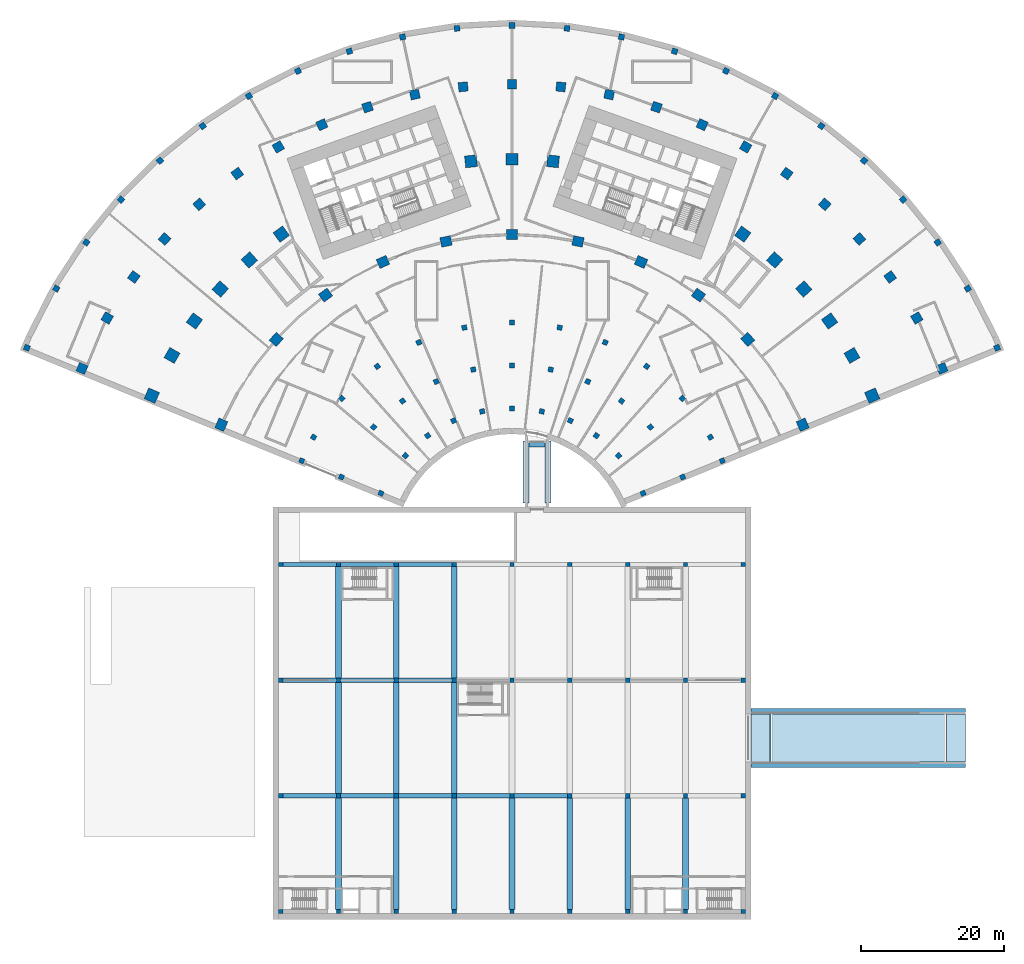
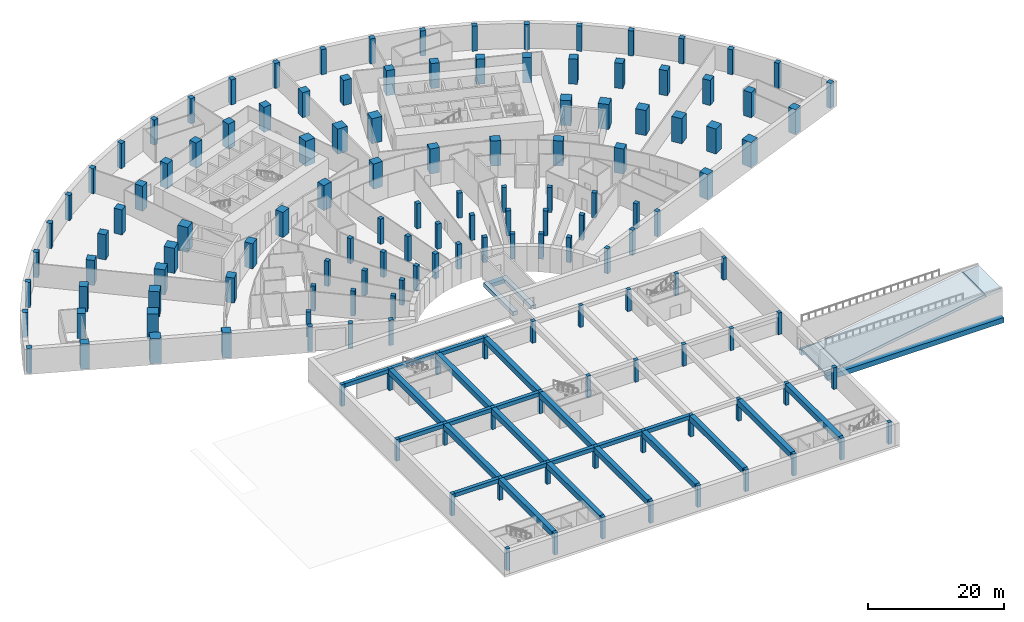
# One storey, part 1 of 23: 143 columns, 24 beams, 8 footings.
"""IFC4 building model written with IfcOpenShell, lengths in metres."""

from ifc_helpers import new_model, si_unit, direction, frame, origin, origin_2d, place, context, subcontext, project, spatial, polyline, rectangle, outline, extrude, material, layer, layer_set, material_profile, profile_set, type_object, element, save


model = new_model("IFC4")

# Units and contexts
model_context = context("Model", 3, precision=1e-05, world=origin(), true_north=direction((0.0, 1.0)))
body_context = subcontext(model_context, "Body", "Model", "MODEL_VIEW")
ifc_project = project(units=[si_unit("LENGTHUNIT", "METRE"), si_unit("AREAUNIT", "SQUARE_METRE"), si_unit("VOLUMEUNIT", "CUBIC_METRE"), si_unit("PLANEANGLEUNIT", "RADIAN"), si_unit("MASSUNIT", "GRAM", prefix="KILO")], contexts=[model_context])

# Site, building, storey
site_placement = place(None, origin())
site = spatial("IfcSite", under=ifc_project, at=site_placement, CompositionType="ELEMENT")
building_placement = place(site_placement, origin())
building = spatial("IfcBuilding", under=site, at=building_placement, Name="Stone Belt Terrace Tower", CompositionType="ELEMENT")
storey_placement = place(building_placement, frame((0.0, 0.0, -4.5)))
storey = spatial("IfcBuildingStorey", under=building, at=storey_placement, Name="B1", CompositionType="ELEMENT", Elevation=-4.5)

# Footings
ifc_material_1 = material(Name="Concrete B30", Category="concrete")
ifc_layer = layer(ifc_material_1, 0.89990234375)
ifc_layer_set = layer_set([ifc_layer], Name="Strip footing 1800")
footing_type = type_object("IfcFootingType", Name="Strip footing 1800", PredefinedType="STRIP_FOOTING", material=ifc_layer_set)
footing_1_placement = place(storey_placement, frame((0.0, 0.0, -1.5)))
element("IfcFooting", 1, at=footing_1_placement, inside=storey, type_object=footing_type, Name="Entrance ramp trench wall footing", PredefinedType="STRIP_FOOTING", context=body_context, shape_type="SweptSolid", body=[
    extrude(outline(polyline([(33.5, -30.25), (63.5, -30.25), (63.5, -29.449951171875), (33.5, -29.449951171875), (33.5, -30.25)])), origin(), (0.0, 0.0, 1.0), 0.89990234375),
])
footing_2_placement = place(storey_placement, frame((0.0, 0.0, -1.5)))
element("IfcFooting", 2, at=footing_2_placement, inside=storey, type_object=footing_type, Name="Entrance ramp trench wall footing", PredefinedType="STRIP_FOOTING", context=body_context, shape_type="SweptSolid", body=[
    extrude(outline(polyline([(33.5, -22.75), (63.5, -22.75), (63.5, -21.949951171875), (33.5, -21.949951171875), (33.5, -22.75)])), origin(), (0.0, 0.0, 1.0), 0.89990234375),
])
footing_3_placement = place(storey_placement, frame((63.5, -29.449951171875, 4.199951171875), z_axis=(-0.083037852661, 0.0, 0.996546393815), x_axis=(-0.996546393815, 0.0, -0.083037852661)))
element("IfcFooting", 3, at=footing_3_placement, inside=storey, type_object=footing_type, Name="Entrance ramp bed", PredefinedType="STRIP_FOOTING", context=body_context, shape_type="SweptSolid", body=[
    extrude(outline(polyline([(0.0, 0.0), (2.6490413236249766, 0.0), (2.6490413236249766, -6.699951171875), (0.0, -6.699951171875), (0.0, 0.0)])), origin(), (0.0, 0.0, -1.0), 0.5),
])
footing_4_placement = place(storey_placement, frame((60.800048828125, -29.449951171875, 4.0), z_axis=(-0.164402162225, 0.0, 0.986393394674), x_axis=(-0.986393394674, 0.0, -0.164402162225)))
element("IfcFooting", 4, at=footing_4_placement, inside=storey, type_object=footing_type, Name="Entrance ramp bed", PredefinedType="STRIP_FOOTING", context=body_context, shape_type="SweptSolid", body=[
    extrude(outline(polyline([(0.0, 0.0), (24.939438756472118, 0.0), (24.939438756472118, -6.699951171875), (0.0, -6.699951171875), (0.0, 0.0)])), origin(), (0.0, 0.0, -1.0), 0.5),
])
footing_5_placement = place(storey_placement, frame((36.139892578125, -29.449951171875, -0.080078125), z_axis=(-0.083037852661, 0.0, 0.996546393815), x_axis=(-0.996546393815, 0.0, -0.083037852661)))
element("IfcFooting", 5, at=footing_5_placement, inside=storey, type_object=footing_type, Name="Entrance ramp bed", PredefinedType="STRIP_FOOTING", context=body_context, shape_type="SweptSolid", body=[
    extrude(outline(polyline([(0.0, 0.0), (2.6490413236249766, 0.0), (2.6490413236249766, -6.699951171875), (0.0, -6.699951171875), (0.0, 0.0)])), origin(), (0.0, 0.0, -1.0), 0.5),
])
footing_6_placement = place(storey_placement, frame((0.0, 0.0, -1.10009765625)))
element("IfcFooting", 6, at=footing_6_placement, inside=storey, type_object=footing_type, Name="Link corridor footing", PredefinedType="STRIP_FOOTING", context=body_context, shape_type="SweptSolid", body=[
    extrude(outline(polyline([(1.550048828125, 6.800048828125), (2.35009765625, 6.800048828125), (2.35009765625, 15.5), (1.550048828125, 15.5), (1.550048828125, 6.800048828125)])), origin(), (0.0, 0.0, 1.0), 0.7001953125),
])
footing_7_placement = place(storey_placement, frame((0.0, 0.0, -1.10009765625)))
element("IfcFooting", 7, at=footing_7_placement, inside=storey, type_object=footing_type, Name="Link corridor footing", PredefinedType="STRIP_FOOTING", context=body_context, shape_type="SweptSolid", body=[
    extrude(outline(polyline([(4.64990234375, 6.800048828125), (5.449951171875, 6.800048828125), (5.449951171875, 15.5), (4.64990234375, 15.5), (4.64990234375, 6.800048828125)])), origin(), (0.0, 0.0, 1.0), 0.7001953125),
])
footing_8_placement = place(storey_placement, frame((0.0, 0.0, -1.10009765625)))
element("IfcFooting", 8, at=footing_8_placement, inside=storey, type_object=footing_type, Name="Link corridor footing", PredefinedType="STRIP_FOOTING", context=body_context, shape_type="SweptSolid", body=[
    extrude(outline(polyline([(2.35009765625, 14.699951171875), (4.64990234375, 14.699951171875), (4.64990234375, 15.5), (2.35009765625, 15.5), (2.35009765625, 14.699951171875)])), origin(), (0.0, 0.0, 1.0), 0.7001953125),
])

# Columns
ifc_material_2 = material(Name="Concrete B60", Category="concrete")
ifc_material_profile_1 = material_profile(ifc_material_2, rectangle(XDim=0.60009765625, YDim=0.60009765625, at=origin_2d()), Name="Car park column 600 x 600")
ifc_profile_set_1 = profile_set([ifc_material_profile_1], Name="Concrete B60")
column_type_1 = type_object("IfcColumnType", Name="Car park column 600 x 600", PredefinedType="COLUMN", material=ifc_profile_set_1)
for number, where, z_axis, x_axis, name in (
    (9, (-32.39990234375, -50.39990234375, 0.0), (0.0, 0.0, 1.0), (1.0, 0.0, 0.0), "Car park column 1A"),
    (10, (-32.39990234375, -34.199951171875, 0.0), (0.0, 0.0, 1.0), (1.0, 0.0, 0.0), "Car park column 1C"),
    (11, (-32.39990234375, -18.0, 0.0), (0.0, 0.0, 1.0), (1.0, 0.0, 0.0), "Car park column 1E"),
    (12, (-32.39990234375, -1.800048828125, 0.0), (0.0, 0.0, 1.0), (1.0, 0.0, 0.0), "Car park column 1G"),
    (13, (-24.300048828125, -50.39990234375, 0.0), (0.0, 0.0, 1.0), (1.0, 0.0, 0.0), "Car park column 2A"),
    (14, (-24.300048828125, -34.199951171875, 0.0), (0.0, 0.0, 1.0), (1.0, 0.0, 0.0), "Car park column 2C"),
    (15, (-24.300048828125, -18.0, 0.0), (0.0, 0.0, 1.0), (1.0, 0.0, 0.0), "Car park column 2E"),
    (16, (-24.300048828125, -1.800048828125, 0.0), (0.0, 0.0, 1.0), (1.0, 0.0, 0.0), "Car park column 2G"),
    (17, (-16.199951171875, -50.39990234375, 0.0), (0.0, 0.0, 1.0), (1.0, 0.0, 0.0), "Car park column 3A"),
    (18, (-16.199951171875, -34.199951171875, 0.0), (0.0, 0.0, 1.0), (1.0, 0.0, 0.0), "Car park column 3C"),
    (19, (-16.199951171875, -18.0, 0.0), (0.0, 0.0, 1.0), (1.0, 0.0, 0.0), "Car park column 3E"),
    (20, (-16.199951171875, -1.800048828125, 0.0), (0.0, 0.0, 1.0), (1.0, 0.0, 0.0), "Car park column 3G"),
    (21, (-8.10009765625, -50.39990234375, 0.0), (0.0, 0.0, 1.0), (1.0, 0.0, 0.0), "Car park column 4A"),
    (22, (-8.10009765625, -34.199951171875, 0.0), (0.0, 0.0, 1.0), (1.0, 0.0, 0.0), "Car park column 4C"),
    (23, (-8.10009765625, -18.0, 0.0), (0.0, 0.0, 1.0), (1.0, 0.0, 0.0), "Car park column 4E"),
    (24, (-8.10009765625, -1.800048828125, 0.0), (0.0, 0.0, 1.0), (1.0, 0.0, 0.0), "Car park column 4G"),
    (25, (0.0, -50.39990234375, 0.0), (0.0, 0.0, 1.0), (1.0, 0.0, 0.0), "Car park column 5A"),
    (26, (0.0, -34.199951171875, 0.0), (0.0, 0.0, 1.0), (1.0, 0.0, 0.0), "Car park column 5C"),
    (27, (0.0, -18.0, 0.0), (0.0, 0.0, 1.0), (1.0, 0.0, 0.0), "Car park column 5E"),
    (28, (0.0, -1.800048828125, 0.0), (0.0, 0.0, 1.0), (1.0, 0.0, 0.0), "Car park column 5G"),
    (29, (8.10009765625, -50.39990234375, 0.0), (0.0, 0.0, 1.0), (1.0, 0.0, 0.0), "Car park column 6A"),
    (30, (8.10009765625, -34.199951171875, 0.0), (0.0, 0.0, 1.0), (1.0, 0.0, 0.0), "Car park column 6C"),
    (31, (8.10009765625, -18.0, 0.0), (0.0, 0.0, 1.0), (1.0, 0.0, 0.0), "Car park column 6E"),
    (32, (8.10009765625, -1.800048828125, 0.0), (0.0, 0.0, 1.0), (1.0, 0.0, 0.0), "Car park column 6G"),
    (33, (16.199951171875, -50.39990234375, 0.0), (0.0, 0.0, 1.0), (1.0, 0.0, 0.0), "Car park column 7A"),
    (34, (16.199951171875, -34.199951171875, 0.0), (0.0, 0.0, 1.0), (1.0, 0.0, 0.0), "Car park column 7C"),
    (35, (16.199951171875, -18.0, 0.0), (0.0, 0.0, 1.0), (1.0, 0.0, 0.0), "Car park column 7E"),
    (36, (16.199951171875, -1.800048828125, 0.0), (0.0, 0.0, 1.0), (1.0, 0.0, 0.0), "Car park column 7G"),
    (37, (24.300048828125, -50.39990234375, 0.0), (0.0, 0.0, 1.0), (1.0, 0.0, 0.0), "Car park column 8A"),
    (38, (24.300048828125, -34.199951171875, 0.0), (0.0, 0.0, 1.0), (1.0, 0.0, 0.0), "Car park column 8C"),
    (39, (24.300048828125, -18.0, 0.0), (0.0, 0.0, 1.0), (1.0, 0.0, 0.0), "Car park column 8E"),
    (40, (24.300048828125, -1.800048828125, 0.0), (0.0, 0.0, 1.0), (1.0, 0.0, 0.0), "Car park column 8G"),
    (41, (32.39990234375, -50.39990234375, 0.0), (0.0, 0.0, 1.0), (1.0, 0.0, 0.0), "Car park column 9A"),
    (42, (32.39990234375, -34.199951171875, 0.0), (0.0, 0.0, 1.0), (1.0, 0.0, 0.0), "Car park column 9C"),
    (43, (32.39990234375, -18.0, 0.0), (0.0, 0.0, 1.0), (1.0, 0.0, 0.0), "Car park column 9E"),
    (44, (32.39990234375, -1.800048828125, 0.0), (0.0, 0.0, 1.0), (1.0, 0.0, 0.0), "Car park column 9G"),
):
    element("IfcColumn", number, at=place(storey_placement, frame(where, z_axis=z_axis, x_axis=x_axis)), inside=storey, type_object=column_type_1, Name=name, PredefinedType="COLUMN", context=body_context, shape_type="SweptSolid", body=[
        extrude(rectangle(XDim=0.60009765625, YDim=0.60009765625, at=origin_2d()), origin(), (0.0, 0.0, 1.0), 3.89990234375),
    ])
ifc_material_3 = material(Name="Concrete B80", Category="concrete")
ifc_material_profile_2 = material_profile(ifc_material_3, rectangle(XDim=1.300048828125, YDim=1.300048828125, at=origin_2d()), Name="RC 1300x1300")
ifc_profile_set_2 = profile_set([ifc_material_profile_2], Name="Concrete B80")
column_type_2 = type_object("IfcColumnType", Name="Column RC 1300x1300 B80", PredefinedType="COLUMN", material=ifc_profile_set_2)
for number, where, z_axis, x_axis, name in (
    (45, (-60.24169921875, 25.68505859375, 0.0), (0.0, 0.0, 1.0), (0.392203865004, 0.919878322538, 0.0), "Column B1 RA"),
    (46, (-56.715087890625, 32.744384765625, 0.0), (0.0, 0.0, 1.0), (0.5, 0.866025403784, 0.0), "Column B1 R12"),
    (47, (-52.981689453125, 38.493408203125, 0.0), (0.0, 0.0, 1.0), (0.587785252292, 0.809016994375, 0.0), "Column B1 R13"),
    (48, (-48.667724609375, 43.820556640625, 0.0), (0.0, 0.0, 1.0), (0.669130606359, 0.743144825477, 0.0), "Column B1 R14"),
    (49, (-43.820556640625, 48.667724609375, 0.0), (0.0, 0.0, 1.0), (0.743144825477, 0.669130606359, 0.0), "Column B1 R15"),
    (50, (-38.493408203125, 52.981689453125, 0.0), (0.0, 0.0, 1.0), (0.809016994375, 0.587785252292, 0.0), "Column B1 R16"),
    (51, (-32.744384765625, 56.715087890625, 0.0), (0.0, 0.0, 1.0), (0.866025403784, 0.5, 0.0), "Column B1 R17"),
    (52, (-26.63671875, 59.8271484375, 0.0), (0.0, 0.0, 1.0), (0.913545457643, 0.406736643076, 0.0), "Column B1 R18"),
    (53, (-20.2373046875, 62.28369140625, 0.0), (0.0, 0.0, 1.0), (0.951056516295, 0.309016994375, 0.0), "Column B1 R19"),
    (54, (-13.615966796875, 64.057861328125, 0.0), (0.0, 0.0, 1.0), (0.978147600734, 0.207911690818, 0.0), "Column B1 R20"),
    (55, (-6.845458984375, 65.130126953125, 0.0), (0.0, 0.0, 1.0), (0.994521895368, 0.104528463268, 0.0), "Column B1 R21"),
    (56, (0.0, 65.489013671875, 0.0), (0.0, 0.0, 1.0), (1.0, 0.0, 0.0), "Column B1 R22"),
    (57, (6.845458984375, 65.130126953125, 0.0), (0.0, 0.0, 1.0), (0.994521895368, -0.104528463268, 0.0), "Column B1 R23"),
    (58, (13.615966796875, 64.057861328125, 0.0), (0.0, 0.0, 1.0), (0.978147600734, -0.207911690818, 0.0), "Column B1 R24"),
    (59, (20.2373046875, 62.28369140625, 0.0), (0.0, 0.0, 1.0), (0.951056516295, -0.309016994375, 0.0), "Column B1 R25"),
    (60, (26.63671875, 59.8271484375, 0.0), (0.0, 0.0, 1.0), (0.913545457643, -0.406736643076, 0.0), "Column B1 R26"),
    (61, (32.744384765625, 56.715087890625, 0.0), (0.0, 0.0, 1.0), (0.866025403784, -0.5, 0.0), "Column B1 R27"),
    (62, (38.493408203125, 52.981689453125, 0.0), (0.0, 0.0, 1.0), (0.809016994375, -0.587785252292, 0.0), "Column B1 R28"),
    (63, (43.820556640625, 48.667724609375, 0.0), (0.0, 0.0, 1.0), (0.743144825477, -0.669130606359, 0.0), "Column B1 R29"),
    (64, (48.667724609375, 43.820556640625, 0.0), (0.0, 0.0, 1.0), (0.669130606359, -0.743144825477, 0.0), "Column B1 R30"),
    (65, (52.981689453125, 38.493408203125, 0.0), (0.0, 0.0, 1.0), (0.587785252292, -0.809016994375, 0.0), "Column B1 R31"),
    (66, (56.715087890625, 32.744384765625, 0.0), (0.0, 0.0, 1.0), (0.5, -0.866025403784, 0.0), "Column B1 R32"),
    (67, (60.24169921875, 25.68505859375, 0.0), (0.0, 0.0, 1.0), (0.392203865004, -0.919878322538, 0.0), "Column B1 RB"),
):
    element("IfcColumn", number, at=place(storey_placement, frame(where, z_axis=z_axis, x_axis=x_axis)), inside=storey, type_object=column_type_2, Name=name, PredefinedType="COLUMN", context=body_context, shape_type="SweptSolid", body=[
        extrude(rectangle(XDim=1.300048828125, YDim=1.300048828125, at=origin_2d()), origin(), (0.0, 0.0, 1.0), 4.5),
    ])
ifc_material_profile_3 = material_profile(ifc_material_3, rectangle(XDim=1.5, YDim=1.35009765625, at=origin_2d()), Name="RC 1500x1350")
ifc_profile_set_3 = profile_set([ifc_material_profile_3], Name="Concrete B80")
column_type_3 = type_object("IfcColumnType", Name="Column RC 1500x1350 B80", PredefinedType="COLUMN", material=ifc_profile_set_3)
for number, where, z_axis, x_axis, name in (
    (68, (-40.727294921875, 17.794677734375, 0.0), (0.0, 0.0, 1.0), (0.40037622141, 0.916350850564, 0.0), "Column B1 PA"),
    (69, (-33.029052734375, 29.739501953125, 0.0), (0.0, 0.0, 1.0), (0.669130606359, 0.743144825477, 0.0), "Column B1 P14"),
    (70, (-26.1240234375, 35.956787109375, 0.0), (0.0, 0.0, 1.0), (0.809016994375, 0.587785252292, 0.0), "Column B1 P16"),
    (71, (-18.077392578125, 40.6025390625, 0.0), (0.0, 0.0, 1.0), (0.913545457643, 0.406736643076, 0.0), "Column B1 P18"),
    (72, (-9.240478515625, 43.473876953125, 0.0), (0.0, 0.0, 1.0), (0.978147600734, 0.207911690818, 0.0), "Column B1 P20"),
    (73, (0.0, 44.445068359375, 0.0), (0.0, 0.0, 1.0), (1.0, 0.0, 0.0), "Column B1 P22"),
    (74, (9.240478515625, 43.473876953125, 0.0), (0.0, 0.0, 1.0), (0.978147600734, -0.207911690818, 0.0), "Column B1 P24"),
    (75, (18.077392578125, 40.6025390625, 0.0), (0.0, 0.0, 1.0), (0.913545457643, -0.406736643076, 0.0), "Column B1 P26"),
    (76, (26.1240234375, 35.956787109375, 0.0), (0.0, 0.0, 1.0), (0.809016994375, -0.587785252292, 0.0), "Column B1 P28"),
    (77, (33.029052734375, 29.739501953125, 0.0), (0.0, 0.0, 1.0), (0.669130606359, -0.743144825477, 0.0), "Column B1 P30"),
    (78, (40.727294921875, 17.794677734375, 0.0), (0.0, 0.0, 1.0), (0.40037622141, -0.916350850564, 0.0), "Column B1 PB"),
):
    element("IfcColumn", number, at=place(storey_placement, frame(where, z_axis=z_axis, x_axis=x_axis)), inside=storey, type_object=column_type_3, Name=name, PredefinedType="COLUMN", context=body_context, shape_type="SweptSolid", body=[
        extrude(rectangle(XDim=1.5, YDim=1.35009765625, at=origin_2d()), origin(), (0.0, 0.0, 1.0), 4.5),
    ])
ifc_material_profile_4 = material_profile(ifc_material_3, rectangle(XDim=1.64990234375, YDim=1.64990234375, at=origin_2d()), Name="RC 1650x1650")
ifc_profile_set_4 = profile_set([ifc_material_profile_4], Name="Concrete B80")
column_type_4 = type_object("IfcColumnType", Name="Column RC 1650x1650 B80", PredefinedType="COLUMN", material=ifc_profile_set_4)
for number, where, z_axis, x_axis, name in (
    (79, (-50.466064453125, 21.867431640625, 0.0), (0.0, 0.0, 1.0), (0.397588335471, 0.917563902678, 0.0), "Column B1 QA"),
    (80, (-47.63134765625, 27.5, 0.0), (0.0, 0.0, 1.0), (0.5, 0.866025403784, 0.0), "Column B1 Q12"),
    (81, (-44.495849609375, 32.328125, 0.0), (0.0, 0.0, 1.0), (0.587785252292, 0.809016994375, 0.0), "Column B1 Q13"),
    (82, (-40.873046875, 36.80224609375, 0.0), (0.0, 0.0, 1.0), (0.669130606359, 0.743144825477, 0.0), "Column B1 Q14"),
    (83, (-36.80224609375, 40.873046875, 0.0), (0.0, 0.0, 1.0), (0.743144825477, 0.669130606359, 0.0), "Column B1 Q15"),
    (84, (-32.328125, 44.495849609375, 0.0), (0.0, 0.0, 1.0), (0.809016994375, 0.587785252292, 0.0), "Column B1 Q16"),
    (85, (-5.7490234375, 54.69873046875, 0.0), (0.0, 0.0, 1.0), (0.994521895368, 0.104528463268, 0.0), "Column B1 Q21"),
    (86, (0.0, 55.0, 0.0), (0.0, 0.0, 1.0), (1.0, 0.0, 0.0), "Column B1 Q22"),
    (87, (5.7490234375, 54.69873046875, 0.0), (0.0, 0.0, 1.0), (0.994521895368, -0.104528463268, 0.0), "Column B1 Q23"),
    (88, (32.328125, 44.495849609375, 0.0), (0.0, 0.0, 1.0), (0.809016994375, -0.587785252292, 0.0), "Column B1 Q28"),
    (89, (36.80224609375, 40.873046875, 0.0), (0.0, 0.0, 1.0), (0.743144825477, -0.669130606359, 0.0), "Column B1 Q29"),
    (90, (40.873046875, 36.80224609375, 0.0), (0.0, 0.0, 1.0), (0.669130606359, -0.743144825477, 0.0), "Column B1 Q30"),
    (91, (44.495849609375, 32.328125, 0.0), (0.0, 0.0, 1.0), (0.587785252292, -0.809016994375, 0.0), "Column B1 Q31"),
    (92, (47.63134765625, 27.5, 0.0), (0.0, 0.0, 1.0), (0.5, -0.866025403784, 0.0), "Column B1 Q32"),
    (93, (50.466064453125, 21.867431640625, 0.0), (0.0, 0.0, 1.0), (0.397588335471, -0.917563902678, 0.0), "Column B1 QB"),
):
    element("IfcColumn", number, at=place(storey_placement, frame(where, z_axis=z_axis, x_axis=x_axis)), inside=storey, type_object=column_type_4, Name=name, PredefinedType="COLUMN", context=body_context, shape_type="SweptSolid", body=[
        extrude(rectangle(XDim=1.64990234375, YDim=1.64990234375, at=origin_2d()), origin(), (0.0, 0.0, 1.0), 4.5),
    ])
ifc_material_profile_5 = material_profile(ifc_material_2, rectangle(XDim=0.699951171875, YDim=0.699951171875, at=origin_2d()), Name="RC 700x700")
ifc_profile_set_5 = profile_set([ifc_material_profile_5], Name="Concrete B60")
column_type_5 = type_object("IfcColumnType", Name="Column RC 700x700 B60", PredefinedType="COLUMN", material=ifc_profile_set_5)
for number, where, z_axis, x_axis, name in (
    (94, (-18.3544921875, 8.19287109375, 0.0), (0.0, 0.0, 1.0), (0.40759905238, 0.913161000316, 0.0), "Column B1 MA"),
    (95, (-14.937255859375, 13.449462890625, 0.0), (0.0, 0.0, 1.0), (0.669130606359, 0.743144825477, 0.0), "Column B1 M14"),
    (96, (-11.814453125, 16.26123046875, 0.0), (0.0, 0.0, 1.0), (0.809016994375, 0.587785252292, 0.0), "Column B1 M16"),
    (97, (-8.17529296875, 18.3623046875, 0.0), (0.0, 0.0, 1.0), (0.913545457643, 0.406736643076, 0.0), "Column B1 M18"),
    (98, (-4.178955078125, 19.660888671875, 0.0), (0.0, 0.0, 1.0), (0.978147600734, 0.207911690818, 0.0), "Column B1 M20"),
    (99, (0.0, 20.10009765625, 0.0), (0.0, 0.0, 1.0), (1.0, 0.0, 0.0), "Column B1 M22"),
    (100, (4.178955078125, 19.660888671875, 0.0), (0.0, 0.0, 1.0), (0.978147600734, -0.207911690818, 0.0), "Column B1 M24"),
    (101, (8.17529296875, 18.3623046875, 0.0), (0.0, 0.0, 1.0), (0.913545457643, -0.406736643076, 0.0), "Column B1 M26"),
    (102, (11.814453125, 16.26123046875, 0.0), (0.0, 0.0, 1.0), (0.809016994375, -0.587785252292, 0.0), "Column B1 M28"),
    (103, (14.937255859375, 13.449462890625, 0.0), (0.0, 0.0, 1.0), (0.669130606359, -0.743144825477, 0.0), "Column B1 M30"),
    (104, (18.3544921875, 8.19287109375, 0.0), (0.0, 0.0, 1.0), (0.40759905238, -0.913161000316, 0.0), "Column B1 MB"),
    (105, (-23.908203125, 10.468994140625, 0.0), (0.0, 0.0, 1.0), (0.401114983453, 0.91602771249, 0.0), "Column B1 NA"),
    (106, (-19.39599609375, 17.46435546875, 0.0), (0.0, 0.0, 1.0), (0.669130606359, 0.743144825477, 0.0), "Column B1 N14"),
    (107, (-15.34130859375, 21.115234375, 0.0), (0.0, 0.0, 1.0), (0.809016994375, 0.587785252292, 0.0), "Column B1 N16"),
    (108, (-10.61572265625, 23.843505859375, 0.0), (0.0, 0.0, 1.0), (0.913545457643, 0.406736643076, 0.0), "Column B1 N18"),
    (109, (-5.426513671875, 25.52978515625, 0.0), (0.0, 0.0, 1.0), (0.978147600734, 0.207911690818, 0.0), "Column B1 N20"),
    (110, (0.0, 26.10009765625, 0.0), (0.0, 0.0, 1.0), (1.0, 0.0, 0.0), "Column B1 N22"),
    (111, (5.426513671875, 25.52978515625, 0.0), (0.0, 0.0, 1.0), (0.978147600734, -0.207911690818, 0.0), "Column B1 N24"),
    (112, (10.61572265625, 23.843505859375, 0.0), (0.0, 0.0, 1.0), (0.913545457643, -0.406736643076, 0.0), "Column B1 N26"),
    (113, (15.34130859375, 21.115234375, 0.0), (0.0, 0.0, 1.0), (0.809016994375, -0.587785252292, 0.0), "Column B1 N28"),
    (114, (19.39599609375, 17.46435546875, 0.0), (0.0, 0.0, 1.0), (0.669130606359, -0.743144825477, 0.0), "Column B1 N30"),
    (115, (23.908203125, 10.468994140625, 0.0), (0.0, 0.0, 1.0), (0.401114983453, -0.91602771249, 0.0), "Column B1 NB"),
    (116, (-29.46142578125, 12.7451171875, 0.0), (0.0, 0.0, 1.0), (0.39704377212, 0.917799674777, 0.0), "Column B1 OA"),
    (117, (-27.79931640625, 16.050048828125, 0.0), (0.0, 0.0, 1.0), (0.5, 0.866025403784, 0.0), "Column B1 O12"),
    (118, (-23.85498046875, 21.47900390625, 0.0), (0.0, 0.0, 1.0), (0.669130606359, 0.743144825477, 0.0), "Column B1 O14"),
    (119, (-18.867919921875, 25.969482421875, 0.0), (0.0, 0.0, 1.0), (0.809016994375, 0.587785252292, 0.0), "Column B1 O16"),
    (120, (-13.05615234375, 29.32470703125, 0.0), (0.0, 0.0, 1.0), (0.913545457643, 0.406736643076, 0.0), "Column B1 O18"),
    (121, (-6.674072265625, 31.3984375, 0.0), (0.0, 0.0, 1.0), (0.978147600734, 0.207911690818, 0.0), "Column B1 O20"),
    (122, (0.0, 32.10009765625, 0.0), (0.0, 0.0, 1.0), (1.0, 0.0, 0.0), "Column B1 O22"),
    (123, (6.674072265625, 31.3984375, 0.0), (0.0, 0.0, 1.0), (0.978147600734, -0.207911690818, 0.0), "Column B1 O24"),
    (124, (13.05615234375, 29.32470703125, 0.0), (0.0, 0.0, 1.0), (0.913545457643, -0.406736643076, 0.0), "Column B1 O26"),
    (125, (18.867919921875, 25.969482421875, 0.0), (0.0, 0.0, 1.0), (0.809016994375, -0.587785252292, 0.0), "Column B1 O28"),
    (126, (23.85498046875, 21.47900390625, 0.0), (0.0, 0.0, 1.0), (0.669130606359, -0.743144825477, 0.0), "Column B1 O30"),
    (127, (27.79931640625, 16.050048828125, 0.0), (0.0, 0.0, 1.0), (0.5, -0.866025403784, 0.0), "Column B1 O32"),
    (128, (29.46142578125, 12.7451171875, 0.0), (0.0, 0.0, 1.0), (0.39704377212, -0.917799674777, 0.0), "Column B1 OB"),
):
    element("IfcColumn", number, at=place(storey_placement, frame(where, z_axis=z_axis, x_axis=x_axis)), inside=storey, type_object=column_type_5, Name=name, PredefinedType="COLUMN", context=body_context, shape_type="SweptSolid", body=[
        extrude(rectangle(XDim=0.699951171875, YDim=0.699951171875, at=origin_2d()), origin(), (0.0, 0.0, 1.0), 4.5),
    ])
ifc_material_profile_6 = material_profile(ifc_material_2, rectangle(XDim=0.800048828125, YDim=0.800048828125, at=origin_2d()), Name="RC 800x800")
ifc_profile_set_6 = profile_set([ifc_material_profile_6], Name="Concrete B60")
column_type_6 = type_object("IfcColumnType", Name="Column RC 800x800 B60", PredefinedType="COLUMN", material=ifc_profile_set_6)
for number, where, z_axis, x_axis, name in (
    (129, (-67.96337890625, 28.57958984375, 0.0), (0.0, 0.0, 1.0), (0.387636254736, 0.921812418019, 0.0), "Column B1 SA"),
    (130, (-63.85009765625, 36.864013671875, 0.0), (0.0, 0.0, 1.0), (0.5, 0.866025403784, 0.0), "Column B1 S12"),
    (131, (-59.647216796875, 43.336181640625, 0.0), (0.0, 0.0, 1.0), (0.587785252292, 0.809016994375, 0.0), "Column B1 S13"),
    (132, (-54.79052734375, 49.33349609375, 0.0), (0.0, 0.0, 1.0), (0.669130606359, 0.743144825477, 0.0), "Column B1 S14"),
    (133, (-49.33349609375, 54.79052734375, 0.0), (0.0, 0.0, 1.0), (0.743144825477, 0.669130606359, 0.0), "Column B1 S15"),
    (134, (-43.336181640625, 59.647216796875, 0.0), (0.0, 0.0, 1.0), (0.809016994375, 0.587785252292, 0.0), "Column B1 S16"),
    (135, (-36.864013671875, 63.85009765625, 0.0), (0.0, 0.0, 1.0), (0.866025403784, 0.5, 0.0), "Column B1 S17"),
    (136, (-29.98779296875, 67.353759765625, 0.0), (0.0, 0.0, 1.0), (0.913545457643, 0.406736643076, 0.0), "Column B1 S18"),
    (137, (-22.783203125, 70.119384765625, 0.0), (0.0, 0.0, 1.0), (0.951056516295, 0.309016994375, 0.0), "Column B1 S19"),
    (138, (-15.328857421875, 72.11669921875, 0.0), (0.0, 0.0, 1.0), (0.978147600734, 0.207911690818, 0.0), "Column B1 S20"),
    (139, (-7.706787109375, 73.323974609375, 0.0), (0.0, 0.0, 1.0), (0.994521895368, 0.104528463268, 0.0), "Column B1 S21"),
    (140, (0.0, 73.727783203125, 0.0), (0.0, 0.0, 1.0), (1.0, 0.0, 0.0), "Column B1 S22"),
    (141, (7.706787109375, 73.323974609375, 0.0), (0.0, 0.0, 1.0), (0.994521895368, -0.104528463268, 0.0), "Column B1 S23"),
    (142, (15.328857421875, 72.11669921875, 0.0), (0.0, 0.0, 1.0), (0.978147600734, -0.207911690818, 0.0), "Column B1 S24"),
    (143, (22.783203125, 70.119384765625, 0.0), (0.0, 0.0, 1.0), (0.951056516295, -0.309016994375, 0.0), "Column B1 S25"),
    (144, (29.98779296875, 67.353759765625, 0.0), (0.0, 0.0, 1.0), (0.913545457643, -0.406736643076, 0.0), "Column B1 S26"),
    (145, (36.864013671875, 63.85009765625, 0.0), (0.0, 0.0, 1.0), (0.866025403784, -0.5, 0.0), "Column B1 S27"),
    (146, (43.336181640625, 59.647216796875, 0.0), (0.0, 0.0, 1.0), (0.809016994375, -0.587785252292, 0.0), "Column B1 S28"),
    (147, (49.33349609375, 54.79052734375, 0.0), (0.0, 0.0, 1.0), (0.743144825477, -0.669130606359, 0.0), "Column B1 S29"),
    (148, (54.79052734375, 49.33349609375, 0.0), (0.0, 0.0, 1.0), (0.669130606359, -0.743144825477, 0.0), "Column B1 S30"),
    (149, (59.647216796875, 43.336181640625, 0.0), (0.0, 0.0, 1.0), (0.587785252292, -0.809016994375, 0.0), "Column B1 S31"),
    (150, (63.85009765625, 36.864013671875, 0.0), (0.0, 0.0, 1.0), (0.5, -0.866025403784, 0.0), "Column B1 S32"),
    (151, (67.96337890625, 28.57958984375, 0.0), (0.0, 0.0, 1.0), (0.387636254736, -0.921812418019, 0.0), "Column B1 SB"),
):
    element("IfcColumn", number, at=place(storey_placement, frame(where, z_axis=z_axis, x_axis=x_axis)), inside=storey, type_object=column_type_6, Name=name, PredefinedType="COLUMN", context=body_context, shape_type="SweptSolid", body=[
        extrude(rectangle(XDim=0.800048828125, YDim=0.800048828125, at=origin_2d()), origin(), (0.0, 0.0, 1.0), 4.5),
    ])

# Beams
ifc_material_4 = material(Name="Concrete B40", Category="concrete")
ifc_material_profile_7 = material_profile(ifc_material_4, rectangle(XDim=0.800048828125, YDim=1.0, at=origin_2d()), Name="Car park girder 800 x 1000")
ifc_profile_set_7 = profile_set([ifc_material_profile_7], Name="Concrete B40")
beam_type_1 = type_object("IfcBeamType", Name="Car park girder 800 x 1000", PredefinedType="BEAM", material=ifc_profile_set_7)
beam_1_placement = place(storey_placement, frame((-24.300048828125, -50.10009765625, 3.39990234375), z_axis=(0.0, 1.0, 0.0), x_axis=(-1.0, 0.0, 0.0)))
element("IfcBeam", 152, at=beam_1_placement, inside=storey, type_object=beam_type_1, Name="Car park girder 2A-C", PredefinedType="BEAM", context=body_context, shape_type="SweptSolid", body=[
    extrude(rectangle(XDim=0.800048828125, YDim=1.0, at=origin_2d()), origin(), (0.0, 0.0, 1.0), 15.60009765625),
])
for number, where, z_axis, x_axis, name in (
    (153, (-24.300048828125, -33.89990234375, 3.39990234375), (0.0, 1.0, 0.0), (-1.0, 0.0, 0.0), "Car park girder 2C-E"),
    (154, (-24.300048828125, -17.699951171875, 3.39990234375), (0.0, 1.0, 0.0), (-1.0, 0.0, 0.0), "Car park girder 2E-G"),
):
    element("IfcBeam", number, at=place(storey_placement, frame(where, z_axis=z_axis, x_axis=x_axis)), inside=storey, type_object=beam_type_1, Name=name, PredefinedType="BEAM", context=body_context, shape_type="SweptSolid", body=[
        extrude(rectangle(XDim=0.800048828125, YDim=1.0, at=origin_2d()), origin(), (0.0, 0.0, 1.0), 15.599853515625),
    ])
beam_2_placement = place(storey_placement, frame((-16.199951171875, -50.10009765625, 3.39990234375), z_axis=(0.0, 1.0, 0.0), x_axis=(-1.0, 0.0, 0.0)))
element("IfcBeam", 155, at=beam_2_placement, inside=storey, type_object=beam_type_1, Name="Car park girder 3A-C", PredefinedType="BEAM", context=body_context, shape_type="SweptSolid", body=[
    extrude(rectangle(XDim=0.800048828125, YDim=1.0, at=origin_2d()), origin(), (0.0, 0.0, 1.0), 15.60009765625),
])
for number, where, z_axis, x_axis, name in (
    (156, (-16.199951171875, -33.89990234375, 3.39990234375), (0.0, 1.0, 0.0), (-1.0, 0.0, 0.0), "Car park girder 3C-E"),
    (157, (-16.199951171875, -17.699951171875, 3.39990234375), (0.0, 1.0, 0.0), (-1.0, 0.0, 0.0), "Car park girder 3E-G"),
):
    element("IfcBeam", number, at=place(storey_placement, frame(where, z_axis=z_axis, x_axis=x_axis)), inside=storey, type_object=beam_type_1, Name=name, PredefinedType="BEAM", context=body_context, shape_type="SweptSolid", body=[
        extrude(rectangle(XDim=0.800048828125, YDim=1.0, at=origin_2d()), origin(), (0.0, 0.0, 1.0), 15.599853515625),
    ])
beam_3_placement = place(storey_placement, frame((-8.10009765625, -50.10009765625, 3.39990234375), z_axis=(0.0, 1.0, 0.0), x_axis=(-1.0, 0.0, 0.0)))
element("IfcBeam", 158, at=beam_3_placement, inside=storey, type_object=beam_type_1, Name="Car park girder 4A-C", PredefinedType="BEAM", context=body_context, shape_type="SweptSolid", body=[
    extrude(rectangle(XDim=0.800048828125, YDim=1.0, at=origin_2d()), origin(), (0.0, 0.0, 1.0), 15.60009765625),
])
for number, where, z_axis, x_axis, name in (
    (159, (-8.10009765625, -33.89990234375, 3.39990234375), (0.0, 1.0, 0.0), (-1.0, 0.0, 0.0), "Car park girder 4C-E"),
    (160, (-8.10009765625, -17.699951171875, 3.39990234375), (0.0, 1.0, 0.0), (-1.0, 0.0, 0.0), "Car park girder 4E-G"),
):
    element("IfcBeam", number, at=place(storey_placement, frame(where, z_axis=z_axis, x_axis=x_axis)), inside=storey, type_object=beam_type_1, Name=name, PredefinedType="BEAM", context=body_context, shape_type="SweptSolid", body=[
        extrude(rectangle(XDim=0.800048828125, YDim=1.0, at=origin_2d()), origin(), (0.0, 0.0, 1.0), 15.599853515625),
    ])
for number, where, z_axis, x_axis, name in (
    (161, (0.0, -50.10009765625, 3.39990234375), (0.0, 1.0, 0.0), (-1.0, 0.0, 0.0), "Car park girder 5A-C"),
    (162, (8.10009765625, -50.10009765625, 3.39990234375), (0.0, 1.0, 0.0), (-1.0, 0.0, 0.0), "Car park girder 6A-C"),
    (163, (16.199951171875, -50.10009765625, 3.39990234375), (0.0, 1.0, 0.0), (-1.0, 0.0, 0.0), "Car park girder 7A-C"),
    (164, (24.300048828125, -50.10009765625, 3.39990234375), (0.0, 1.0, 0.0), (-1.0, 0.0, 0.0), "Car park girder 8A-C"),
):
    element("IfcBeam", number, at=place(storey_placement, frame(where, z_axis=z_axis, x_axis=x_axis)), inside=storey, type_object=beam_type_1, Name=name, PredefinedType="BEAM", context=body_context, shape_type="SweptSolid", body=[
        extrude(rectangle(XDim=0.800048828125, YDim=1.0, at=origin_2d()), origin(), (0.0, 0.0, 1.0), 15.60009765625),
    ])
ifc_material_profile_8 = material_profile(ifc_material_4, rectangle(XDim=0.60009765625, YDim=0.699951171875, at=origin_2d()), Name="Car park tie beam 600 x 700")
ifc_profile_set_8 = profile_set([ifc_material_profile_8], Name="Concrete B40")
beam_type_2 = type_object("IfcBeamType", Name="Car park tie beam 600 x 700", PredefinedType="BEAM", material=ifc_profile_set_8)
for number, where, z_axis, x_axis, name in (
    (165, (-32.10009765625, -34.199951171875, 3.550048828125), (1.0, 0.0, 0.0), (0.0, 1.0, 0.0), "Car park tie beam 1C-2"),
    (166, (-24.0, -34.199951171875, 3.550048828125), (1.0, 0.0, 0.0), (0.0, 1.0, 0.0), "Car park tie beam 2C-3"),
    (167, (-15.89990234375, -34.199951171875, 3.550048828125), (1.0, 0.0, 0.0), (0.0, 1.0, 0.0), "Car park tie beam 3C-4"),
    (168, (-7.800048828125, -34.199951171875, 3.550048828125), (1.0, 0.0, 0.0), (0.0, 1.0, 0.0), "Car park tie beam 4C-5"),
    (169, (0.300048828125, -34.199951171875, 3.550048828125), (1.0, 0.0, 0.0), (0.0, 1.0, 0.0), "Car park tie beam 5C-6"),
    (170, (-32.10009765625, -18.0, 3.550048828125), (1.0, 0.0, 0.0), (0.0, 1.0, 0.0), "Car park tie beam 1E-2"),
    (171, (-24.0, -18.0, 3.550048828125), (1.0, 0.0, 0.0), (0.0, 1.0, 0.0), "Car park tie beam 2E-3"),
    (172, (-15.89990234375, -18.0, 3.550048828125), (1.0, 0.0, 0.0), (0.0, 1.0, 0.0), "Car park tie beam 3E-4"),
    (173, (-32.10009765625, -1.800048828125, 3.550048828125), (1.0, 0.0, 0.0), (0.0, 1.0, 0.0), "Car park tie beam 1G-2"),
    (174, (-24.0, -1.800048828125, 3.550048828125), (1.0, 0.0, 0.0), (0.0, 1.0, 0.0), "Car park tie beam 2G-3"),
    (175, (-15.89990234375, -1.800048828125, 3.550048828125), (1.0, 0.0, 0.0), (0.0, 1.0, 0.0), "Car park tie beam 3G-4"),
):
    element("IfcBeam", number, at=place(storey_placement, frame(where, z_axis=z_axis, x_axis=x_axis)), inside=storey, type_object=beam_type_2, Name=name, PredefinedType="BEAM", context=body_context, shape_type="SweptSolid", body=[
        extrude(rectangle(XDim=0.60009765625, YDim=0.699951171875, at=origin_2d()), origin(), (0.0, 0.0, 1.0), 7.5),
    ])

save(model, "model.ifc")
